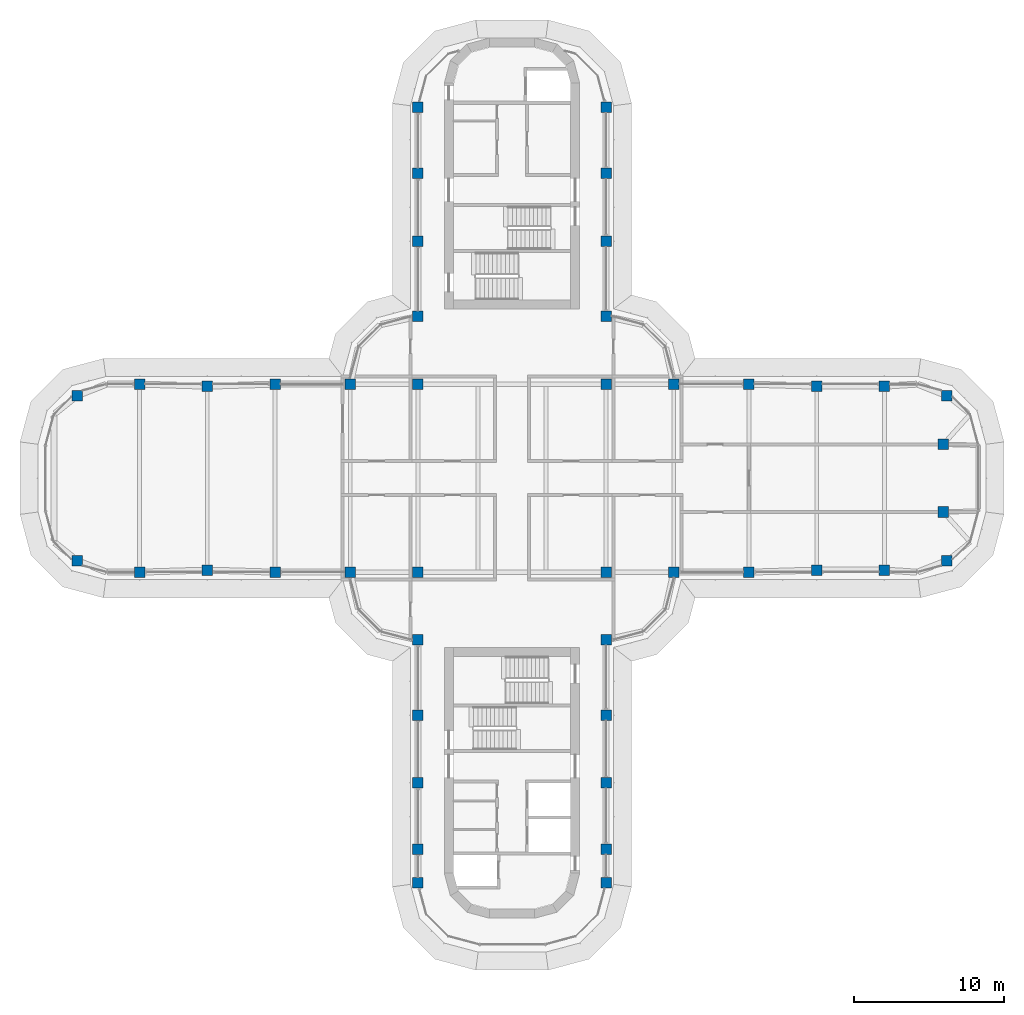
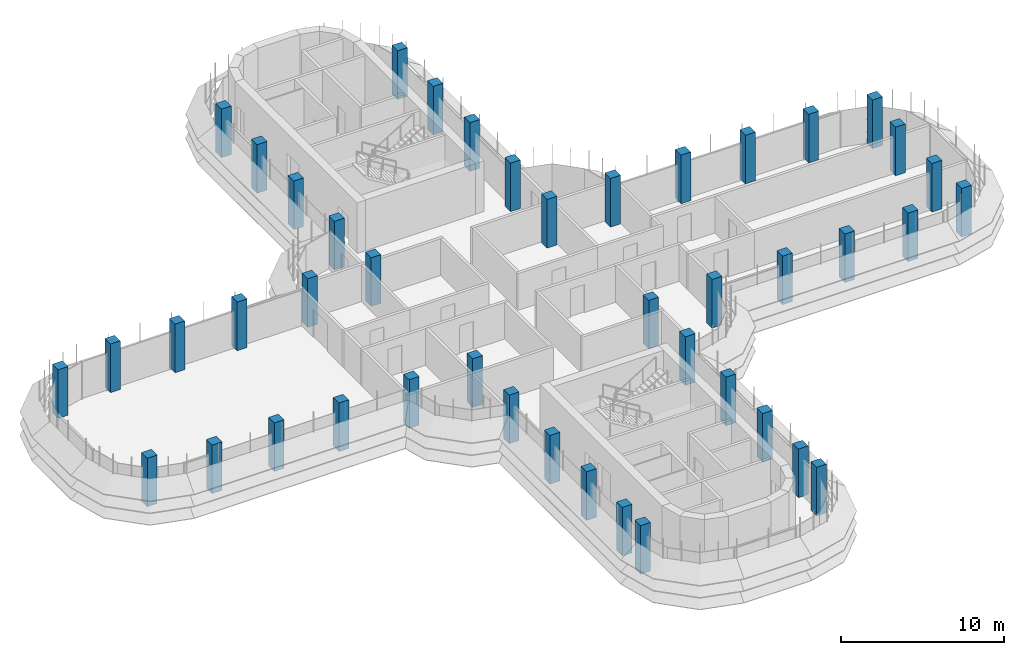
# One storey, part 1 of 19: 44 columns.
"""IFC4 building model written with IfcOpenShell, lengths in metres."""

from ifc_helpers import new_model, si_unit, direction, frame, origin, origin_2d, place, context, subcontext, project, spatial, rectangle, extrude, material, material_profile, profile_set, type_object, element, save


model = new_model("IFC4")

# Units and contexts
model_context = context("Model", 3, precision=1e-05, world=origin(), true_north=direction((0.0, 1.0)))
body_context = subcontext(model_context, "Body", "Model", "MODEL_VIEW")
ifc_project = project(units=[si_unit("LENGTHUNIT", "METRE"), si_unit("AREAUNIT", "SQUARE_METRE"), si_unit("VOLUMEUNIT", "CUBIC_METRE"), si_unit("PLANEANGLEUNIT", "RADIAN"), si_unit("MASSUNIT", "GRAM", prefix="KILO")], contexts=[model_context])

# Site, building, storey
site_placement = place(None, origin())
site = spatial("IfcSite", under=ifc_project, at=site_placement, CompositionType="ELEMENT")
building_placement = place(site_placement, origin())
building = spatial("IfcBuilding", under=site, at=building_placement, Name="Zarbagh Exchange Tower", CompositionType="ELEMENT")
storey_placement = place(building_placement, frame((0.0, 0.0, 237.199951171875)))
storey = spatial("IfcBuildingStorey", under=building, at=storey_placement, Name="L58", CompositionType="ELEMENT", Elevation=237.199951171875)

# Columns
ifc_material = material(Name="Concrete C50/60", Category="concrete")
ifc_material_profile = material_profile(ifc_material, rectangle(XDim=0.699951171875, YDim=0.699951171875, at=origin_2d()), Name="RC column 700 x 700 C50/60")
ifc_profile_set = profile_set([ifc_material_profile], Name="Concrete C50/60")
column_type = type_object("IfcColumnType", Name="RC column 700 x 700 C50/60", PredefinedType="COLUMN", material=ifc_profile_set)
for number, where, z_axis, x_axis, name in (
    (1, (-28.907958984375, -5.47509765625, 0.0), (0.0, 0.0, 1.0), (1.0, 0.0, 0.0), "C5 11/R"),
    (2, (-28.907958984375, 5.47509765625, 0.0), (0.0, 0.0, 1.0), (1.0, 0.0, 0.0), "C5 11/U"),
    (3, (-24.75, -6.25, 0.0), (0.0, 0.0, 1.0), (1.0, 0.0, 0.0), "C5 12/R"),
    (4, (-24.75, 6.25, 0.0), (0.0, 0.0, 1.0), (1.0, 0.0, 0.0), "C5 12/U"),
    (5, (-20.25, -6.110107421875, 0.0), (0.0, 0.0, 1.0), (1.0, 0.0, 0.0), "C5 13/R"),
    (6, (-20.25, 6.110107421875, 0.0), (0.0, 0.0, 1.0), (1.0, 0.0, 0.0), "C5 13/U"),
    (7, (-15.75, -6.25, 0.0), (0.0, 0.0, 1.0), (1.0, 0.0, 0.0), "C5 14/R"),
    (8, (-15.75, 6.25, 0.0), (0.0, 0.0, 1.0), (1.0, 0.0, 0.0), "C5 14/U"),
    (9, (-10.75, -6.25, 0.0), (0.0, 0.0, 1.0), (1.0, 0.0, 0.0), "C5 15/R"),
    (10, (-10.75, 6.25, 0.0), (0.0, 0.0, 1.0), (1.0, 0.0, 0.0), "C5 15/U"),
    (11, (-6.25, -26.89990234375, 0.0), (0.0, 0.0, 1.0), (1.0, 0.0, 0.0), "C5 16/L"),
    (12, (-6.25, -24.64990234375, 0.0), (0.0, 0.0, 1.0), (1.0, 0.0, 0.0), "C5 16/M"),
    (13, (-6.25, -20.25, 0.0), (0.0, 0.0, 1.0), (1.0, 0.0, 0.0), "C5 16/N"),
    (14, (-6.25, -15.75, 0.0), (0.0, 0.0, 1.0), (1.0, 0.0, 0.0), "C5 16/P"),
    (15, (-6.25, -10.75, 0.0), (0.0, 0.0, 1.0), (1.0, 0.0, 0.0), "C5 16/Q"),
    (16, (-6.25, -6.25, 0.0), (0.0, 0.0, 1.0), (1.0, 0.0, 0.0), "C5 16/R"),
    (17, (-6.25, 6.25, 0.0), (0.0, 0.0, 1.0), (1.0, 0.0, 0.0), "C5 16/U"),
    (18, (-6.25, 10.75, 0.0), (0.0, 0.0, 1.0), (1.0, 0.0, 0.0), "C5 16/V"),
    (19, (-6.25, 15.75, 0.0), (0.0, 0.0, 1.0), (1.0, 0.0, 0.0), "C5 16/W"),
    (20, (-6.25, 20.25, 0.0), (0.0, 0.0, 1.0), (1.0, 0.0, 0.0), "C5 16/X"),
    (21, (-6.25, 24.64990234375, 0.0), (0.0, 0.0, 1.0), (1.0, 0.0, 0.0), "C5 16/Y"),
    (22, (6.25, -26.89990234375, 0.0), (0.0, 0.0, 1.0), (1.0, 0.0, 0.0), "C5 19/L"),
    (23, (6.25, -24.64990234375, 0.0), (0.0, 0.0, 1.0), (1.0, 0.0, 0.0), "C5 19/M"),
    (24, (6.25, -20.25, 0.0), (0.0, 0.0, 1.0), (1.0, 0.0, 0.0), "C5 19/N"),
    (25, (6.25, -15.75, 0.0), (0.0, 0.0, 1.0), (1.0, 0.0, 0.0), "C5 19/P"),
    (26, (6.25, -10.75, 0.0), (0.0, 0.0, 1.0), (1.0, 0.0, 0.0), "C5 19/Q"),
    (27, (6.25, -6.25, 0.0), (0.0, 0.0, 1.0), (1.0, 0.0, 0.0), "C5 19/R"),
    (28, (6.25, 6.25, 0.0), (0.0, 0.0, 1.0), (1.0, 0.0, 0.0), "C5 19/U"),
    (29, (6.25, 10.75, 0.0), (0.0, 0.0, 1.0), (1.0, 0.0, 0.0), "C5 19/V"),
    (30, (6.25, 15.75, 0.0), (0.0, 0.0, 1.0), (1.0, 0.0, 0.0), "C5 19/W"),
    (31, (6.25, 20.25, 0.0), (0.0, 0.0, 1.0), (1.0, 0.0, 0.0), "C5 19/X"),
    (32, (6.25, 24.64990234375, 0.0), (0.0, 0.0, 1.0), (1.0, 0.0, 0.0), "C5 19/Y"),
    (33, (10.75, -6.25, 0.0), (0.0, 0.0, 1.0), (1.0, 0.0, 0.0), "C5 20/R"),
    (34, (10.75, 6.25, 0.0), (0.0, 0.0, 1.0), (1.0, 0.0, 0.0), "C5 20/U"),
    (35, (15.75, -6.25, 0.0), (0.0, 0.0, 1.0), (1.0, 0.0, 0.0), "C5 21/R"),
    (36, (15.75, 6.25, 0.0), (0.0, 0.0, 1.0), (1.0, 0.0, 0.0), "C5 21/U"),
    (37, (20.25, -6.110107421875, 0.0), (0.0, 0.0, 1.0), (1.0, 0.0, 0.0), "C5 22/R"),
    (38, (20.25, 6.110107421875, 0.0), (0.0, 0.0, 1.0), (1.0, 0.0, 0.0), "C5 22/U"),
    (39, (24.75, -6.110107421875, 0.0), (0.0, 0.0, 1.0), (1.0, 0.0, 0.0), "C5 23/R"),
    (40, (24.75, 6.110107421875, 0.0), (0.0, 0.0, 1.0), (1.0, 0.0, 0.0), "C5 23/U"),
    (41, (28.907958984375, -5.47509765625, 0.0), (0.0, 0.0, 1.0), (1.0, 0.0, 0.0), "C5 24/R"),
    (42, (28.669921875, -2.25, 0.0), (0.0, 0.0, 1.0), (1.0, 0.0, 0.0), "C5 24/S"),
    (43, (28.669921875, 2.25, 0.0), (0.0, 0.0, 1.0), (1.0, 0.0, 0.0), "C5 24/T"),
    (44, (28.907958984375, 5.47509765625, 0.0), (0.0, 0.0, 1.0), (1.0, 0.0, 0.0), "C5 24/U"),
):
    element("IfcColumn", number, at=place(storey_placement, frame(where, z_axis=z_axis, x_axis=x_axis)), inside=storey, type_object=column_type, Name=name, PredefinedType="COLUMN", context=body_context, shape_type="SweptSolid", body=[
        extrude(rectangle(XDim=0.699951171875, YDim=0.699951171875, at=origin_2d()), origin(), (0.0, 0.0, 1.0), 3.650146484375),
    ])

save(model, "model.ifc")
